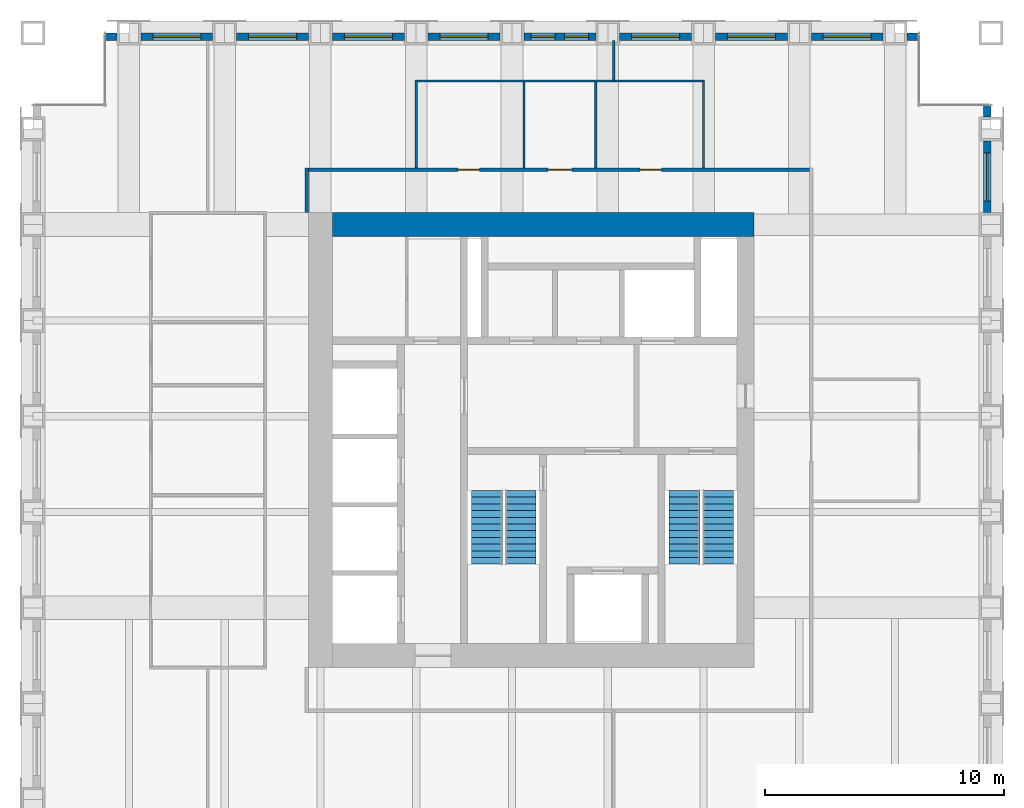
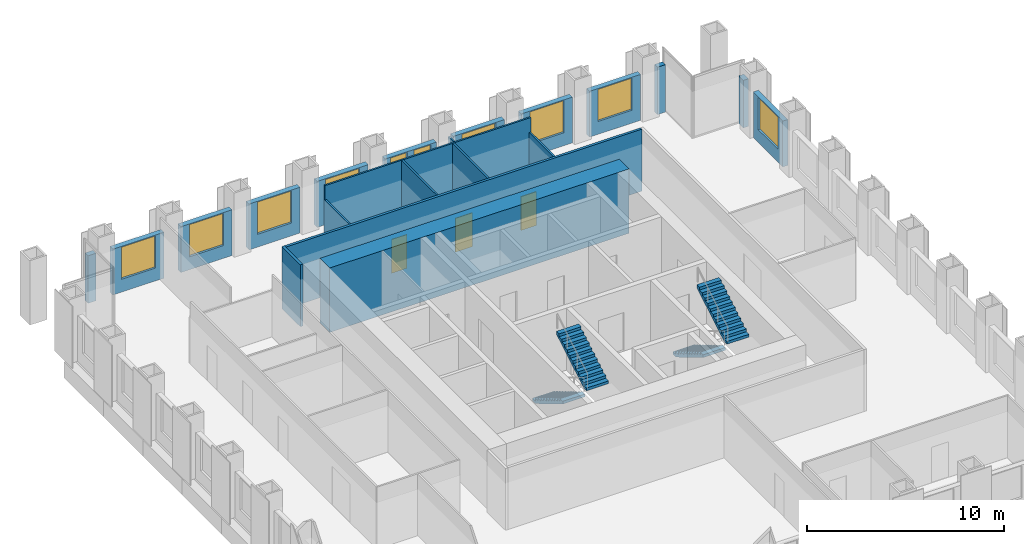
# One storey, part 10 of 11: 21 walls, 10 windows, 4 stair flights, 3 doors, 13 openings, 2 elements without a shape of their own.
"""IFC4 building model written with IfcOpenShell, lengths in metres."""

from ifc_helpers import new_model, si_unit, direction, frame, frame_2d, origin, place, context, subcontext, project, spatial, polyline, rectangle, outline, extrude, material, layer, layer_set, type_object, element, fill, aggregate, save


model = new_model("IFC4")

# Units and contexts
model_context = context("Model", 3, precision=1e-05, world=origin(), true_north=direction((0.0, 1.0)))
body_context = subcontext(model_context, "Body", "Model", "MODEL_VIEW")
ifc_project = project(units=[si_unit("LENGTHUNIT", "METRE"), si_unit("AREAUNIT", "SQUARE_METRE"), si_unit("VOLUMEUNIT", "CUBIC_METRE"), si_unit("PLANEANGLEUNIT", "RADIAN"), si_unit("MASSUNIT", "GRAM", prefix="KILO")], contexts=[model_context])

# Site, building, storey
site_placement = place(None, origin())
site = spatial("IfcSite", under=ifc_project, at=site_placement, CompositionType="ELEMENT")
building_placement = place(site_placement, origin())
building = spatial("IfcBuilding", under=site, at=building_placement, Name="Rimbunsela Tower", CompositionType="ELEMENT")
storey_placement = place(building_placement, frame((0.0, 0.0, 282.199951171875)))
storey = spatial("IfcBuildingStorey", under=building, at=storey_placement, Name="L68", CompositionType="ELEMENT", Elevation=282.199951171875)

# Walls
ifc_material_1 = material(Name="Concrete fc' 80 MPa", Category="concrete")
ifc_layer_1 = layer(ifc_material_1, 1.0)
ifc_layer_set_1 = layer_set([ifc_layer_1], Name="Core wall 1000")
wall_type_1 = type_object("IfcWallType", Name="Core wall 1000", PredefinedType="SHEAR", material=ifc_layer_set_1)
wall_1_placement = place(storey_placement, frame((18.5, 36.0, -0.14990234375), z_axis=(0.0, 0.0, 1.0), x_axis=(1.0, 0.0, 0.0)))
element("IfcWall", 1, at=wall_1_placement, inside=storey, type_object=wall_type_1, Name="Core wall north", PredefinedType="SHEAR", context=body_context, shape_type="SweptSolid", body=[
    extrude(rectangle(XDim=17.60009765625, YDim=1.0, at=frame_2d((8.800048828125, 0.0))), origin(), (0.0, 0.0, 1.0), 4.0),
])
ifc_material_2 = material(Name="Gypsum board on steel studs", Category="steel")
ifc_layer_2 = layer(ifc_material_2, 0.10009765625)
ifc_layer_set_2 = layer_set([ifc_layer_2], Name="Office partition 100")
wall_type_2 = type_object("IfcWallType", Name="Office partition 100", PredefinedType="PARTITIONING", material=ifc_layer_set_2)
wall_2_placement = place(storey_placement, frame((30.25, 43.699951171875, 0.0), z_axis=(0.0, 0.0, 1.0), x_axis=(0.0, -1.0, 0.0)))
element("IfcWall", 2, at=wall_2_placement, inside=storey, type_object=wall_type_2, Name="Office partition", PredefinedType="PARTITIONING", context=body_context, shape_type="SweptSolid", body=[
    extrude(rectangle(XDim=1.699951171875, YDim=0.10009765625, at=frame_2d((0.85009765625, 0.0))), origin(), (0.0, 0.0, 1.0), 2.949951171875),
])

# Wall, opening, window
ifc_material_3 = material(Name="Precast concrete fc' 35 MPa", Category="concrete")
ifc_layer_3 = layer(ifc_material_3, 0.300048828125)
ifc_layer_set_3 = layer_set([ifc_layer_3], Name="Precast concrete fc' 35 MPa")
wall_type_3 = type_object("IfcWallType", Name="Precast facade panel 300", PredefinedType="ELEMENTEDWALL", material=ifc_layer_set_3)
wall_3_placement = place(storey_placement, frame((45.85009765625, 36.5, 0.0), z_axis=(0.0, 0.0, 1.0), x_axis=(0.0, 1.0, 0.0)))
wall_3 = element("IfcWall", 3, at=wall_3_placement, inside=storey, type_object=wall_type_3, Name="Facade panel E L68", PredefinedType="ELEMENTEDWALL", context=body_context, shape_type="SweptSolid", body=[
    extrude(rectangle(XDim=3.0, YDim=0.300048828125, at=frame_2d((1.5, 0.0))), origin(), (0.0, 0.0, 1.0), 2.85009765625),
])
opening_1_placement = place(wall_3_placement, frame((0.5, 0.0, 0.800048828125)))
opening_1 = element("IfcOpeningElement", 4, at=opening_1_placement, cuts=wall_3, Name="Opening W1", PredefinedType="OPENING", context=body_context, shape_type="SweptSolid", body=[
    extrude(rectangle(XDim=2.0, YDim=2.0, at=frame_2d((1.0, 1.0))), frame((0.0, 0.159912109375, 0.0), z_axis=(0.0, -1.0, 0.0), x_axis=(1.0, 0.0, 0.0)), (0.0, 0.0, 1.0), 0.320068359375),
])
ifc_material_4 = material(Name="Clear glass in aluminium frame", Category="aluminium")
window_type_1 = type_object("IfcWindowType", Name="Window W1 2000x2000", PartitioningType="DOUBLE_PANEL_VERTICAL", PredefinedType="WINDOW", material=ifc_material_4)
window_1_placement = place(opening_1_placement, origin())
window_1 = element("IfcWindow", 5, at=window_1_placement, inside=storey, type_object=window_type_1, Name="Window L68", OverallHeight=2.0, OverallWidth=2.0, PartitioningType="SINGLE_PANEL", PredefinedType="WINDOW", context=body_context, shape_type="SweptSolid", body=[
    extrude(rectangle(XDim=2.0, YDim=2.0, at=frame_2d((1.0, 1.0))), frame((0.0, 0.030029296875, 0.0), z_axis=(0.0, -1.0, 0.0), x_axis=(1.0, 0.0, 0.0)), (0.0, 0.0, 1.0), 0.06005859375),
])
fill(opening_1, window_1)

# Walls
for number, where, z_axis, x_axis, name in (
    (6, (45.85009765625, 40.5, 0.0), (0.0, 0.0, 1.0), (0.0, 1.0, 0.0), "Facade panel E L68"),
    (7, (9.5, 43.85009765625, 0.0), (0.0, 0.0, 1.0), (-1.0, 0.0, 0.0), "Facade panel N L68"),
):
    element("IfcWall", number, at=place(storey_placement, frame(where, z_axis=z_axis, x_axis=x_axis)), inside=storey, type_object=wall_type_3, Name=name, PredefinedType="ELEMENTEDWALL", context=body_context, shape_type="SweptSolid", body=[
        extrude(rectangle(XDim=0.469970703125, YDim=0.300048828125, at=frame_2d((0.23486328125, 0.0))), origin(), (0.0, 0.0, 1.0), 2.949951171875),
    ])

# Wall, opening, window
wall_4_placement = place(storey_placement, frame((13.5, 43.85009765625, 0.0), z_axis=(0.0, 0.0, 1.0), x_axis=(-1.0, 0.0, 0.0)))
wall_4 = element("IfcWall", 8, at=wall_4_placement, inside=storey, type_object=wall_type_3, Name="Facade panel N L68", PredefinedType="ELEMENTEDWALL", context=body_context, shape_type="SweptSolid", body=[
    extrude(rectangle(XDim=3.0, YDim=0.300048828125, at=frame_2d((1.5, 0.0))), origin(), (0.0, 0.0, 1.0), 2.85009765625),
])
opening_2_placement = place(wall_4_placement, frame((0.5, 0.0, 0.800048828125)))
opening_2 = element("IfcOpeningElement", 9, at=opening_2_placement, cuts=wall_4, Name="Opening W1", PredefinedType="OPENING", context=body_context, shape_type="SweptSolid", body=[
    extrude(rectangle(XDim=2.0, YDim=2.0, at=frame_2d((1.0, 1.0))), frame((0.0, 0.159912109375, 0.0), z_axis=(0.0, -1.0, 0.0), x_axis=(1.0, 0.0, 0.0)), (0.0, 0.0, 1.0), 0.320068359375),
])
window_2_placement = place(opening_2_placement, origin())
window_2 = element("IfcWindow", 10, at=window_2_placement, inside=storey, type_object=window_type_1, Name="Window L68", OverallHeight=2.0, OverallWidth=2.0, PartitioningType="SINGLE_PANEL", PredefinedType="WINDOW", context=body_context, shape_type="SweptSolid", body=[
    extrude(rectangle(XDim=2.0, YDim=2.0, at=frame_2d((1.0, 1.0))), frame((0.0, 0.030029296875, 0.0), z_axis=(0.0, -1.0, 0.0), x_axis=(1.0, 0.0, 0.0)), (0.0, 0.0, 1.0), 0.06005859375),
])
fill(opening_2, window_2)

wall_5_placement = place(storey_placement, frame((17.5, 43.85009765625, 0.0), z_axis=(0.0, 0.0, 1.0), x_axis=(-1.0, 0.0, 0.0)))
wall_5 = element("IfcWall", 11, at=wall_5_placement, inside=storey, type_object=wall_type_3, Name="Facade panel N L68", PredefinedType="ELEMENTEDWALL", context=body_context, shape_type="SweptSolid", body=[
    extrude(rectangle(XDim=3.0, YDim=0.300048828125, at=frame_2d((1.5, 0.0))), origin(), (0.0, 0.0, 1.0), 2.85009765625),
])
opening_3_placement = place(wall_5_placement, frame((0.5, 0.0, 0.800048828125)))
opening_3 = element("IfcOpeningElement", 12, at=opening_3_placement, cuts=wall_5, Name="Opening W1", PredefinedType="OPENING", context=body_context, shape_type="SweptSolid", body=[
    extrude(rectangle(XDim=2.0, YDim=2.0, at=frame_2d((1.0, 1.0))), frame((0.0, 0.159912109375, 0.0), z_axis=(0.0, -1.0, 0.0), x_axis=(1.0, 0.0, 0.0)), (0.0, 0.0, 1.0), 0.320068359375),
])
window_3_placement = place(opening_3_placement, origin())
window_3 = element("IfcWindow", 13, at=window_3_placement, inside=storey, type_object=window_type_1, Name="Window L68", OverallHeight=2.0, OverallWidth=2.0, PartitioningType="SINGLE_PANEL", PredefinedType="WINDOW", context=body_context, shape_type="SweptSolid", body=[
    extrude(rectangle(XDim=2.0, YDim=2.0, at=frame_2d((1.0, 1.0))), frame((0.0, 0.030029296875, 0.0), z_axis=(0.0, -1.0, 0.0), x_axis=(1.0, 0.0, 0.0)), (0.0, 0.0, 1.0), 0.06005859375),
])
fill(opening_3, window_3)

wall_6_placement = place(storey_placement, frame((21.5, 43.85009765625, 0.0), z_axis=(0.0, 0.0, 1.0), x_axis=(-1.0, 0.0, 0.0)))
wall_6 = element("IfcWall", 14, at=wall_6_placement, inside=storey, type_object=wall_type_3, Name="Facade panel N L68", PredefinedType="ELEMENTEDWALL", context=body_context, shape_type="SweptSolid", body=[
    extrude(rectangle(XDim=3.0, YDim=0.300048828125, at=frame_2d((1.5, 0.0))), origin(), (0.0, 0.0, 1.0), 2.85009765625),
])
opening_4_placement = place(wall_6_placement, frame((0.5, 0.0, 0.800048828125)))
opening_4 = element("IfcOpeningElement", 15, at=opening_4_placement, cuts=wall_6, Name="Opening W1", PredefinedType="OPENING", context=body_context, shape_type="SweptSolid", body=[
    extrude(rectangle(XDim=2.0, YDim=2.0, at=frame_2d((1.0, 1.0))), frame((0.0, 0.159912109375, 0.0), z_axis=(0.0, -1.0, 0.0), x_axis=(1.0, 0.0, 0.0)), (0.0, 0.0, 1.0), 0.320068359375),
])
window_4_placement = place(opening_4_placement, origin())
window_4 = element("IfcWindow", 16, at=window_4_placement, inside=storey, type_object=window_type_1, Name="Window L68", OverallHeight=2.0, OverallWidth=2.0, PartitioningType="SINGLE_PANEL", PredefinedType="WINDOW", context=body_context, shape_type="SweptSolid", body=[
    extrude(rectangle(XDim=2.0, YDim=2.0, at=frame_2d((1.0, 1.0))), frame((0.0, 0.030029296875, 0.0), z_axis=(0.0, -1.0, 0.0), x_axis=(1.0, 0.0, 0.0)), (0.0, 0.0, 1.0), 0.06005859375),
])
fill(opening_4, window_4)

wall_7_placement = place(storey_placement, frame((25.5, 43.85009765625, 0.0), z_axis=(0.0, 0.0, 1.0), x_axis=(-1.0, 0.0, 0.0)))
wall_7 = element("IfcWall", 17, at=wall_7_placement, inside=storey, type_object=wall_type_3, Name="Facade panel N L68", PredefinedType="ELEMENTEDWALL", context=body_context, shape_type="SweptSolid", body=[
    extrude(rectangle(XDim=3.0, YDim=0.300048828125, at=frame_2d((1.5, 0.0))), origin(), (0.0, 0.0, 1.0), 2.85009765625),
])
opening_5_placement = place(wall_7_placement, frame((0.5, 0.0, 0.800048828125)))
opening_5 = element("IfcOpeningElement", 18, at=opening_5_placement, cuts=wall_7, Name="Opening W1", PredefinedType="OPENING", context=body_context, shape_type="SweptSolid", body=[
    extrude(rectangle(XDim=2.0, YDim=2.0, at=frame_2d((1.0, 1.0))), frame((0.0, 0.159912109375, 0.0), z_axis=(0.0, -1.0, 0.0), x_axis=(1.0, 0.0, 0.0)), (0.0, 0.0, 1.0), 0.320068359375),
])
window_5_placement = place(opening_5_placement, origin())
window_5 = element("IfcWindow", 19, at=window_5_placement, inside=storey, type_object=window_type_1, Name="Window L68", OverallHeight=2.0, OverallWidth=2.0, PartitioningType="SINGLE_PANEL", PredefinedType="WINDOW", context=body_context, shape_type="SweptSolid", body=[
    extrude(rectangle(XDim=2.0, YDim=2.0, at=frame_2d((1.0, 1.0))), frame((0.0, 0.030029296875, 0.0), z_axis=(0.0, -1.0, 0.0), x_axis=(1.0, 0.0, 0.0)), (0.0, 0.0, 1.0), 0.06005859375),
])
fill(opening_5, window_5)

# Wall, openings, windows
wall_8_placement = place(storey_placement, frame((29.5, 43.85009765625, 0.0), z_axis=(0.0, 0.0, 1.0), x_axis=(-1.0, 0.0, 0.0)))
wall_8 = element("IfcWall", 20, at=wall_8_placement, inside=storey, type_object=wall_type_3, Name="Facade panel N L68", PredefinedType="ELEMENTEDWALL", context=body_context, shape_type="SweptSolid", body=[
    extrude(rectangle(XDim=3.0, YDim=0.300048828125, at=frame_2d((1.5, 0.0))), origin(), (0.0, 0.0, 1.0), 2.85009765625),
])
opening_6_placement = place(wall_8_placement, frame((1.699951171875, 0.0, 0.800048828125)))
opening_6 = element("IfcOpeningElement", 21, at=opening_6_placement, cuts=wall_8, Name="Opening W5", PredefinedType="OPENING", context=body_context, shape_type="SweptSolid", body=[
    extrude(rectangle(XDim=1.0, YDim=2.0, at=frame_2d((0.5, 1.0))), frame((0.0, 0.159912109375, 0.0), z_axis=(0.0, -1.0, 0.0), x_axis=(1.0, 0.0, 0.0)), (0.0, 0.0, 1.0), 0.320068359375),
])
opening_7_placement = place(wall_8_placement, frame((0.300048828125, 0.0, 0.800048828125)))
opening_7 = element("IfcOpeningElement", 22, at=opening_7_placement, cuts=wall_8, Name="Opening W5", PredefinedType="OPENING", context=body_context, shape_type="SweptSolid", body=[
    extrude(rectangle(XDim=1.0, YDim=2.0, at=frame_2d((0.5, 1.0))), frame((0.0, 0.159912109375, 0.0), z_axis=(0.0, -1.0, 0.0), x_axis=(1.0, 0.0, 0.0)), (0.0, 0.0, 1.0), 0.320068359375),
])
ifc_material_5 = material(Name="Clear glass in aluminium frame", Category="aluminium")
window_type_2 = type_object("IfcWindowType", Name="Window W5 1000x2000", PartitioningType="SINGLE_PANEL", PredefinedType="WINDOW", material=ifc_material_5)
window_6_placement = place(opening_6_placement, origin())
window_6 = element("IfcWindow", 23, at=window_6_placement, inside=storey, type_object=window_type_2, Name="Window L68", OverallHeight=2.0, OverallWidth=1.0, PartitioningType="SINGLE_PANEL", PredefinedType="WINDOW", context=body_context, shape_type="SweptSolid", body=[
    extrude(rectangle(XDim=1.0, YDim=2.0, at=frame_2d((0.5, 1.0))), frame((0.0, 0.030029296875, 0.0), z_axis=(0.0, -1.0, 0.0), x_axis=(1.0, 0.0, 0.0)), (0.0, 0.0, 1.0), 0.06005859375),
])
fill(opening_6, window_6)
window_7_placement = place(opening_7_placement, origin())
window_7 = element("IfcWindow", 24, at=window_7_placement, inside=storey, type_object=window_type_2, Name="Window L68", OverallHeight=2.0, OverallWidth=1.0, PartitioningType="SINGLE_PANEL", PredefinedType="WINDOW", context=body_context, shape_type="SweptSolid", body=[
    extrude(rectangle(XDim=1.0, YDim=2.0, at=frame_2d((0.5, 1.0))), frame((0.0, 0.030029296875, 0.0), z_axis=(0.0, -1.0, 0.0), x_axis=(1.0, 0.0, 0.0)), (0.0, 0.0, 1.0), 0.06005859375),
])
fill(opening_7, window_7)

# Wall, opening, window
wall_9_placement = place(storey_placement, frame((33.5, 43.85009765625, 0.0), z_axis=(0.0, 0.0, 1.0), x_axis=(-1.0, 0.0, 0.0)))
wall_9 = element("IfcWall", 25, at=wall_9_placement, inside=storey, type_object=wall_type_3, Name="Facade panel N L68", PredefinedType="ELEMENTEDWALL", context=body_context, shape_type="SweptSolid", body=[
    extrude(rectangle(XDim=3.0, YDim=0.300048828125, at=frame_2d((1.5, 0.0))), origin(), (0.0, 0.0, 1.0), 2.85009765625),
])
opening_8_placement = place(wall_9_placement, frame((0.5, 0.0, 0.800048828125)))
opening_8 = element("IfcOpeningElement", 26, at=opening_8_placement, cuts=wall_9, Name="Opening W1", PredefinedType="OPENING", context=body_context, shape_type="SweptSolid", body=[
    extrude(rectangle(XDim=2.0, YDim=2.0, at=frame_2d((1.0, 1.0))), frame((0.0, 0.159912109375, 0.0), z_axis=(0.0, -1.0, 0.0), x_axis=(1.0, 0.0, 0.0)), (0.0, 0.0, 1.0), 0.320068359375),
])
window_8_placement = place(opening_8_placement, origin())
window_8 = element("IfcWindow", 27, at=window_8_placement, inside=storey, type_object=window_type_1, Name="Window L68", OverallHeight=2.0, OverallWidth=2.0, PartitioningType="SINGLE_PANEL", PredefinedType="WINDOW", context=body_context, shape_type="SweptSolid", body=[
    extrude(rectangle(XDim=2.0, YDim=2.0, at=frame_2d((1.0, 1.0))), frame((0.0, 0.030029296875, 0.0), z_axis=(0.0, -1.0, 0.0), x_axis=(1.0, 0.0, 0.0)), (0.0, 0.0, 1.0), 0.06005859375),
])
fill(opening_8, window_8)

wall_10_placement = place(storey_placement, frame((37.5, 43.85009765625, 0.0), z_axis=(0.0, 0.0, 1.0), x_axis=(-1.0, 0.0, 0.0)))
wall_10 = element("IfcWall", 28, at=wall_10_placement, inside=storey, type_object=wall_type_3, Name="Facade panel N L68", PredefinedType="ELEMENTEDWALL", context=body_context, shape_type="SweptSolid", body=[
    extrude(rectangle(XDim=3.0, YDim=0.300048828125, at=frame_2d((1.5, 0.0))), origin(), (0.0, 0.0, 1.0), 2.85009765625),
])
opening_9_placement = place(wall_10_placement, frame((0.5, 0.0, 0.800048828125)))
opening_9 = element("IfcOpeningElement", 29, at=opening_9_placement, cuts=wall_10, Name="Opening W1", PredefinedType="OPENING", context=body_context, shape_type="SweptSolid", body=[
    extrude(rectangle(XDim=2.0, YDim=2.0, at=frame_2d((1.0, 1.0))), frame((0.0, 0.159912109375, 0.0), z_axis=(0.0, -1.0, 0.0), x_axis=(1.0, 0.0, 0.0)), (0.0, 0.0, 1.0), 0.320068359375),
])
window_9_placement = place(opening_9_placement, origin())
window_9 = element("IfcWindow", 30, at=window_9_placement, inside=storey, type_object=window_type_1, Name="Window L68", OverallHeight=2.0, OverallWidth=2.0, PartitioningType="SINGLE_PANEL", PredefinedType="WINDOW", context=body_context, shape_type="SweptSolid", body=[
    extrude(rectangle(XDim=2.0, YDim=2.0, at=frame_2d((1.0, 1.0))), frame((0.0, 0.030029296875, 0.0), z_axis=(0.0, -1.0, 0.0), x_axis=(1.0, 0.0, 0.0)), (0.0, 0.0, 1.0), 0.06005859375),
])
fill(opening_9, window_9)

wall_11_placement = place(storey_placement, frame((41.5, 43.85009765625, 0.0), z_axis=(0.0, 0.0, 1.0), x_axis=(-1.0, 0.0, 0.0)))
wall_11 = element("IfcWall", 31, at=wall_11_placement, inside=storey, type_object=wall_type_3, Name="Facade panel N L68", PredefinedType="ELEMENTEDWALL", context=body_context, shape_type="SweptSolid", body=[
    extrude(rectangle(XDim=3.0, YDim=0.300048828125, at=frame_2d((1.5, 0.0))), origin(), (0.0, 0.0, 1.0), 2.85009765625),
])
opening_10_placement = place(wall_11_placement, frame((0.5, 0.0, 0.800048828125)))
opening_10 = element("IfcOpeningElement", 32, at=opening_10_placement, cuts=wall_11, Name="Opening W1", PredefinedType="OPENING", context=body_context, shape_type="SweptSolid", body=[
    extrude(rectangle(XDim=2.0, YDim=2.0, at=frame_2d((1.0, 1.0))), frame((0.0, 0.159912109375, 0.0), z_axis=(0.0, -1.0, 0.0), x_axis=(1.0, 0.0, 0.0)), (0.0, 0.0, 1.0), 0.320068359375),
])
window_10_placement = place(opening_10_placement, origin())
window_10 = element("IfcWindow", 33, at=window_10_placement, inside=storey, type_object=window_type_1, Name="Window L68", OverallHeight=2.0, OverallWidth=2.0, PartitioningType="SINGLE_PANEL", PredefinedType="WINDOW", context=body_context, shape_type="SweptSolid", body=[
    extrude(rectangle(XDim=2.0, YDim=2.0, at=frame_2d((1.0, 1.0))), frame((0.0, 0.030029296875, 0.0), z_axis=(0.0, -1.0, 0.0), x_axis=(1.0, 0.0, 0.0)), (0.0, 0.0, 1.0), 0.06005859375),
])
fill(opening_10, window_10)

# Walls
wall_12_placement = place(storey_placement, frame((42.969970703125, 43.85009765625, 0.0), z_axis=(0.0, 0.0, 1.0), x_axis=(-1.0, 0.0, 0.0)))
element("IfcWall", 34, at=wall_12_placement, inside=storey, type_object=wall_type_3, Name="Facade panel N L68", PredefinedType="ELEMENTEDWALL", context=body_context, shape_type="SweptSolid", body=[
    extrude(rectangle(XDim=0.469970703125, YDim=0.300048828125, at=frame_2d((0.23486328125, 0.0))), origin(), (0.0, 0.0, 1.0), 2.949951171875),
])
ifc_material_6 = material(Name="Fire-rated gypsum board on steel studs, EI 60", Category="steel")
ifc_layer_4 = layer(ifc_material_6, 0.14990234375)
ifc_layer_set_4 = layer_set([ifc_layer_4], Name="Rated corridor wall 150")
wall_type_4 = type_object("IfcWallType", Name="Rated corridor wall 150", PredefinedType="PARTITIONING", material=ifc_layer_set_4)
wall_13_placement = place(storey_placement, frame((17.425048828125, 36.5, 0.0), z_axis=(0.0, 0.0, 1.0), x_axis=(0.0, 1.0, 0.0)))
element("IfcWall", 35, at=wall_13_placement, inside=storey, type_object=wall_type_4, Name="Corridor end wall north", PredefinedType="PARTITIONING", context=body_context, shape_type="SweptSolid", body=[
    extrude(rectangle(XDim=1.875, YDim=0.14990234375, at=frame_2d((0.9375, 0.0))), origin(), (0.0, 0.0, 1.0), 3.85009765625),
])

# Wall, openings, doors
wall_14_placement = place(storey_placement, frame((17.5, 38.300048828125, 0.0), z_axis=(0.0, 0.0, 1.0), x_axis=(1.0, 0.0, 0.0)))
wall_14 = element("IfcWall", 36, at=wall_14_placement, inside=storey, type_object=wall_type_4, Name="Corridor wall north", PredefinedType="PARTITIONING", context=body_context, shape_type="SweptSolid", body=[
    extrude(rectangle(XDim=20.925048828125, YDim=0.14990234375, at=frame_2d((10.46240234375, 0.0))), origin(), (0.0, 0.0, 1.0), 3.85009765625),
])
opening_11_placement = place(wall_14_placement, frame((6.25, 0.0, 0.0)))
opening_11 = element("IfcOpeningElement", 37, at=opening_11_placement, cuts=wall_14, Name="Opening D04", PredefinedType="OPENING", context=body_context, shape_type="SweptSolid", body=[
    extrude(rectangle(XDim=0.89990234375, YDim=2.10009765625, at=frame_2d((0.449951171875, 1.050048828125))), frame((0.0, 0.0849609375, 0.0), z_axis=(0.0, -1.0, 0.0), x_axis=(1.0, 0.0, 0.0)), (0.0, 0.0, 1.0), 0.169921875),
])
opening_12_placement = place(wall_14_placement, frame((10.0, 0.0, 0.0)))
opening_12 = element("IfcOpeningElement", 38, at=opening_12_placement, cuts=wall_14, Name="Opening D05", PredefinedType="OPENING", context=body_context, shape_type="SweptSolid", body=[
    extrude(rectangle(XDim=1.0, YDim=2.10009765625, at=frame_2d((0.5, 1.050048828125))), frame((0.0, 0.0849609375, 0.0), z_axis=(0.0, -1.0, 0.0), x_axis=(1.0, 0.0, 0.0)), (0.0, 0.0, 1.0), 0.169921875),
])
opening_13_placement = place(wall_14_placement, frame((13.85009765625, 0.0, 0.0)))
opening_13 = element("IfcOpeningElement", 39, at=opening_13_placement, cuts=wall_14, Name="Opening D04", PredefinedType="OPENING", context=body_context, shape_type="SweptSolid", body=[
    extrude(rectangle(XDim=0.89990234375, YDim=2.10009765625, at=frame_2d((0.449951171875, 1.050048828125))), frame((0.0, 0.0849609375, 0.0), z_axis=(0.0, -1.0, 0.0), x_axis=(1.0, 0.0, 0.0)), (0.0, 0.0, 1.0), 0.169921875),
])
ifc_material_7 = material(Name="Timber door", Category="wood")
door_type_1 = type_object("IfcDoorType", Name="Accessible WC door 1000", OperationType="SLIDING_TO_LEFT", PredefinedType="DOOR", material=ifc_material_7)
door_1_placement = place(opening_12_placement, origin())
door_1 = element("IfcDoor", 40, at=door_1_placement, inside=storey, type_object=door_type_1, Name="Accessible WC door", OperationType="SLIDING_TO_LEFT", OverallHeight=2.10009765625, OverallWidth=1.0, PredefinedType="DOOR", context=body_context, shape_type="SweptSolid", body=[
    extrude(rectangle(XDim=1.0, YDim=2.10009765625, at=frame_2d((0.5, 1.050048828125))), frame((0.0, 0.02490234375, 0.0), z_axis=(0.0, -1.0, 0.0), x_axis=(1.0, 0.0, 0.0)), (0.0, 0.0, 1.0), 0.050048828125),
])
fill(opening_12, door_1)
ifc_material_8 = material(Name="Timber door", Category="wood")
door_type_2 = type_object("IfcDoorType", Name="Toilet door 900", OperationType="SINGLE_SWING_LEFT", PredefinedType="DOOR", material=ifc_material_8)
door_2_placement = place(opening_11_placement, origin())
door_2 = element("IfcDoor", 41, at=door_2_placement, inside=storey, type_object=door_type_2, Name="Female WC door", OperationType="SINGLE_SWING_LEFT", OverallHeight=2.10009765625, OverallWidth=0.89990234375, PredefinedType="DOOR", context=body_context, shape_type="SweptSolid", body=[
    extrude(rectangle(XDim=0.89990234375, YDim=2.10009765625, at=frame_2d((0.449951171875, 1.050048828125))), frame((0.0, 0.02490234375, 0.0), z_axis=(0.0, -1.0, 0.0), x_axis=(1.0, 0.0, 0.0)), (0.0, 0.0, 1.0), 0.050048828125),
])
fill(opening_11, door_2)
door_3_placement = place(opening_13_placement, origin())
door_3 = element("IfcDoor", 42, at=door_3_placement, inside=storey, type_object=door_type_2, Name="Male WC door", OperationType="SINGLE_SWING_LEFT", OverallHeight=2.10009765625, OverallWidth=0.89990234375, PredefinedType="DOOR", context=body_context, shape_type="SweptSolid", body=[
    extrude(rectangle(XDim=0.89990234375, YDim=2.10009765625, at=frame_2d((0.449951171875, 1.050048828125))), frame((0.0, 0.02490234375, 0.0), z_axis=(0.0, -1.0, 0.0), x_axis=(1.0, 0.0, 0.0)), (0.0, 0.0, 1.0), 0.050048828125),
])
fill(opening_13, door_3)

# Walls
ifc_material_9 = material(Name="Concrete blockwork", Category="masonry")
ifc_layer_5 = layer(ifc_material_9, 0.10009765625)
ifc_layer_set_5 = layer_set([ifc_layer_5], Name="Toilet partition 100")
wall_type_5 = type_object("IfcWallType", Name="Toilet partition 100", PredefinedType="PARTITIONING", material=ifc_layer_set_5)
for number, where, z_axis, x_axis, name in (
    (43, (22.0, 38.375, 0.0), (0.0, 0.0, 1.0), (0.0, 1.0, 0.0), "Toilet block wall west"),
    (44, (34.0, 38.375, 0.0), (0.0, 0.0, 1.0), (0.0, 1.0, 0.0), "Toilet block wall east"),
):
    element("IfcWall", number, at=place(storey_placement, frame(where, z_axis=z_axis, x_axis=x_axis)), inside=storey, type_object=wall_type_5, Name=name, PredefinedType="PARTITIONING", context=body_context, shape_type="SweptSolid", body=[
        extrude(rectangle(XDim=3.675048828125, YDim=0.10009765625, at=frame_2d((1.83740234375, 0.0))), origin(), (0.0, 0.0, 1.0), 2.949951171875),
    ])
wall_15_placement = place(storey_placement, frame((21.949951171875, 42.0, 0.0), z_axis=(0.0, 0.0, 1.0), x_axis=(1.0, 0.0, 0.0)))
element("IfcWall", 45, at=wall_15_placement, inside=storey, type_object=wall_type_5, Name="Toilet block wall north", PredefinedType="PARTITIONING", context=body_context, shape_type="SweptSolid", body=[
    extrude(rectangle(XDim=12.10009765625, YDim=0.10009765625, at=frame_2d((6.050048828125, 0.0))), origin(), (0.0, 0.0, 1.0), 3.85009765625),
])
for number, where, z_axis, x_axis, name in (
    (46, (26.5, 38.375, 0.0), (0.0, 0.0, 1.0), (0.0, 1.0, 0.0), "Toilet partition"),
    (47, (29.5, 38.375, 0.0), (0.0, 0.0, 1.0), (0.0, 1.0, 0.0), "Toilet partition"),
):
    element("IfcWall", number, at=place(storey_placement, frame(where, z_axis=z_axis, x_axis=x_axis)), inside=storey, type_object=wall_type_5, Name=name, PredefinedType="PARTITIONING", context=body_context, shape_type="SweptSolid", body=[
        extrude(rectangle(XDim=3.574951171875, YDim=0.10009765625, at=frame_2d((1.78759765625, 0.0))), origin(), (0.0, 0.0, 1.0), 3.85009765625),
    ])

# Stair, stair flights
ifc_material_10 = material(Name="Concrete fc' 35 MPa", Category="concrete")
stair_type = type_object("IfcStairType", Name="Exit stair 24 risers", PredefinedType="HALF_TURN_STAIR", material=ifc_material_10)
stair_1_placement = place(storey_placement, origin())
stair_1 = element("IfcStair", 48, at=stair_1_placement, inside=storey, type_object=stair_type, Name="Exit stair A L68", PredefinedType="HALF_TURN_STAIR")
ifc_material_11 = material(Name="Concrete fc' 35 MPa", Category="concrete")
stair_flight_type = type_object("IfcStairFlightType", Name="Stair flight 12 risers 167", PredefinedType="STRAIGHT", material=ifc_material_11)
stair_flight_1_placement = place(storey_placement, frame((24.949951171875, 24.89990234375, 0.0), z_axis=(0.0, 0.0, 1.0), x_axis=(0.0, -1.0, 0.0)))
stair_flight_1 = element("IfcStairFlight", 49, at=stair_flight_1_placement, type_object=stair_flight_type, Name="ST-A flight 1", NumberOfRisers=12, NumberOfTreads=11, PredefinedType="STRAIGHT", RiserHeight=0.166666667, TreadLength=0.28, context=body_context, shape_type="SweptSolid", body=[
    extrude(outline(polyline([(0.0, 0.0), (0.0, 0.166748046875), (0.280029296875, 0.166748046875), (0.280029296875, 0.333251953125), (0.56005859375, 0.333251953125), (0.56005859375, 0.5), (0.840087890625, 0.5), (0.840087890625, 0.666748046875), (1.1201171875, 0.666748046875), (1.1201171875, 0.833251953125), (1.39990234375, 0.833251953125), (1.39990234375, 1.0), (1.679931640625, 1.0), (1.679931640625, 1.166748046875), (1.9599609375, 1.166748046875), (1.9599609375, 1.333251953125), (2.239990234375, 1.333251953125), (2.239990234375, 1.5), (2.52001953125, 1.5), (2.52001953125, 1.666748046875), (2.800048828125, 1.666748046875), (2.800048828125, 1.833251953125), (3.080078125, 1.833251953125), (3.080078125, 2.0), (3.080078125, 1.658935546875), (0.29296875, 0.0), (0.0, 0.0)])), frame((0.0, 0.64990234375, 0.0), z_axis=(0.0, -1.0, 0.0), x_axis=(1.0, 0.0, 0.0)), (0.0, 0.0, 1.0), 1.300048828125),
])
stair_flight_2_placement = place(storey_placement, frame((26.35009765625, 21.820068359375, 2.0), z_axis=(0.0, 0.0, 1.0), x_axis=(0.0, 1.0, 0.0)))
stair_flight_2 = element("IfcStairFlight", 50, at=stair_flight_2_placement, type_object=stair_flight_type, Name="ST-A flight 2", NumberOfRisers=12, NumberOfTreads=11, PredefinedType="STRAIGHT", RiserHeight=0.166666667, TreadLength=0.28, context=body_context, shape_type="SweptSolid", body=[
    extrude(outline(polyline([(0.0, 0.0), (0.0, 0.166748046875), (0.280029296875, 0.166748046875), (0.280029296875, 0.333251953125), (0.56005859375, 0.333251953125), (0.56005859375, 0.5), (0.840087890625, 0.5), (0.840087890625, 0.666748046875), (1.1201171875, 0.666748046875), (1.1201171875, 0.833251953125), (1.39990234375, 0.833251953125), (1.39990234375, 1.0), (1.679931640625, 1.0), (1.679931640625, 1.166748046875), (1.9599609375, 1.166748046875), (1.9599609375, 1.333251953125), (2.239990234375, 1.333251953125), (2.239990234375, 1.5), (2.52001953125, 1.5), (2.52001953125, 1.666748046875), (2.800048828125, 1.666748046875), (2.800048828125, 1.833251953125), (3.080078125, 1.833251953125), (3.080078125, 2.0), (3.080078125, 1.658935546875), (0.29296875, 0.0), (0.0, 0.0)])), frame((0.0, 0.64990234375, 0.0), z_axis=(0.0, -1.0, 0.0), x_axis=(1.0, 0.0, 0.0)), (0.0, 0.0, 1.0), 1.300048828125),
])
aggregate(stair_1, [stair_flight_1, stair_flight_2])

stair_2_placement = place(storey_placement, origin())
stair_2 = element("IfcStair", 51, at=stair_2_placement, inside=storey, type_object=stair_type, Name="Exit stair B L68", PredefinedType="HALF_TURN_STAIR")
stair_flight_3_placement = place(storey_placement, frame((33.199951171875, 24.89990234375, 0.0), z_axis=(0.0, 0.0, 1.0), x_axis=(0.0, -1.0, 0.0)))
stair_flight_3 = element("IfcStairFlight", 52, at=stair_flight_3_placement, type_object=stair_flight_type, Name="ST-B flight 1", NumberOfRisers=12, NumberOfTreads=11, PredefinedType="STRAIGHT", RiserHeight=0.166666667, TreadLength=0.28, context=body_context, shape_type="SweptSolid", body=[
    extrude(outline(polyline([(0.0, 0.0), (0.0, 0.166748046875), (0.280029296875, 0.166748046875), (0.280029296875, 0.333251953125), (0.56005859375, 0.333251953125), (0.56005859375, 0.5), (0.840087890625, 0.5), (0.840087890625, 0.666748046875), (1.1201171875, 0.666748046875), (1.1201171875, 0.833251953125), (1.39990234375, 0.833251953125), (1.39990234375, 1.0), (1.679931640625, 1.0), (1.679931640625, 1.166748046875), (1.9599609375, 1.166748046875), (1.9599609375, 1.333251953125), (2.239990234375, 1.333251953125), (2.239990234375, 1.5), (2.52001953125, 1.5), (2.52001953125, 1.666748046875), (2.800048828125, 1.666748046875), (2.800048828125, 1.833251953125), (3.080078125, 1.833251953125), (3.080078125, 2.0), (3.080078125, 1.658935546875), (0.29296875, 0.0), (0.0, 0.0)])), frame((0.0, 0.64990234375, 0.0), z_axis=(0.0, -1.0, 0.0), x_axis=(1.0, 0.0, 0.0)), (0.0, 0.0, 1.0), 1.300048828125),
])
stair_flight_4_placement = place(storey_placement, frame((34.60009765625, 21.820068359375, 2.0), z_axis=(0.0, 0.0, 1.0), x_axis=(0.0, 1.0, 0.0)))
stair_flight_4 = element("IfcStairFlight", 53, at=stair_flight_4_placement, type_object=stair_flight_type, Name="ST-B flight 2", NumberOfRisers=12, NumberOfTreads=11, PredefinedType="STRAIGHT", RiserHeight=0.166666667, TreadLength=0.28, context=body_context, shape_type="SweptSolid", body=[
    extrude(outline(polyline([(0.0, 0.0), (0.0, 0.166748046875), (0.280029296875, 0.166748046875), (0.280029296875, 0.333251953125), (0.56005859375, 0.333251953125), (0.56005859375, 0.5), (0.840087890625, 0.5), (0.840087890625, 0.666748046875), (1.1201171875, 0.666748046875), (1.1201171875, 0.833251953125), (1.39990234375, 0.833251953125), (1.39990234375, 1.0), (1.679931640625, 1.0), (1.679931640625, 1.166748046875), (1.9599609375, 1.166748046875), (1.9599609375, 1.333251953125), (2.239990234375, 1.333251953125), (2.239990234375, 1.5), (2.52001953125, 1.5), (2.52001953125, 1.666748046875), (2.800048828125, 1.666748046875), (2.800048828125, 1.833251953125), (3.080078125, 1.833251953125), (3.080078125, 2.0), (3.080078125, 1.658935546875), (0.29296875, 0.0), (0.0, 0.0)])), frame((0.0, 0.64990234375, 0.0), z_axis=(0.0, -1.0, 0.0), x_axis=(1.0, 0.0, 0.0)), (0.0, 0.0, 1.0), 1.300048828125),
])
aggregate(stair_2, [stair_flight_3, stair_flight_4])

save(model, "model.ifc")
